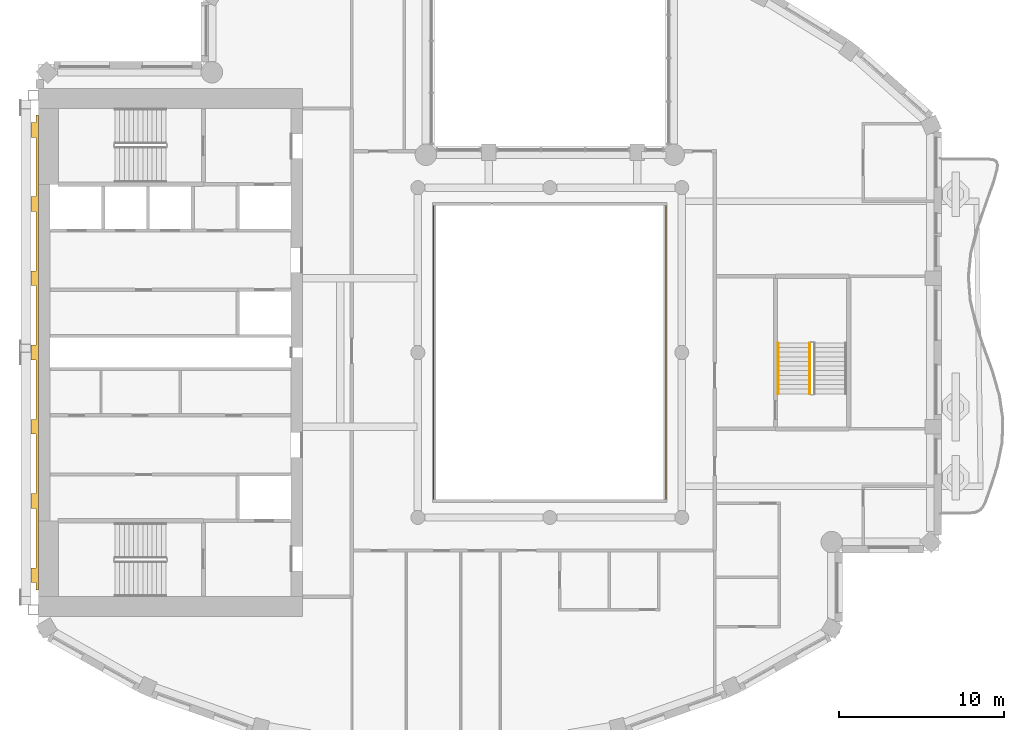
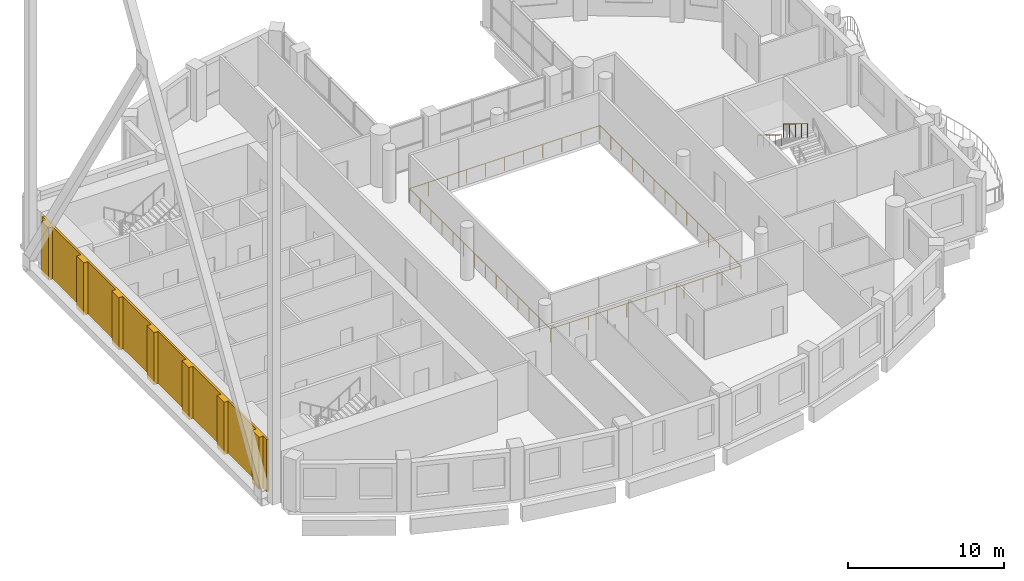
# One storey, part 15 of 18: 3 railings, 1 covering.
"""IFC4 building model written with IfcOpenShell, lengths in metres."""

from ifc_helpers import new_model, si_unit, direction, frame, origin, origin_2d, place, context, subcontext, project, spatial, polyline, rectangle, outline, extrude, material, layer, layer_set, type_object, element, save


model = new_model("IFC4")

# Units and contexts
model_context = context("Model", 3, precision=1e-05, world=origin(), true_north=direction((0.0, 1.0)))
body_context = subcontext(model_context, "Body", "Model", "MODEL_VIEW")
ifc_project = project(units=[si_unit("LENGTHUNIT", "METRE"), si_unit("AREAUNIT", "SQUARE_METRE"), si_unit("VOLUMEUNIT", "CUBIC_METRE"), si_unit("PLANEANGLEUNIT", "RADIAN"), si_unit("MASSUNIT", "GRAM", prefix="KILO")], contexts=[model_context])

# Site, building, storey
site_placement = place(None, origin())
site = spatial("IfcSite", under=ifc_project, at=site_placement, CompositionType="ELEMENT")
building_placement = place(site_placement, origin())
building = spatial("IfcBuilding", under=site, at=building_placement, Name="Cypress Arch Tower", CompositionType="ELEMENT")
storey_placement = place(building_placement, frame((0.0, 0.0, 288.5)))
storey = spatial("IfcBuildingStorey", under=building, at=storey_placement, Name="L65", CompositionType="ELEMENT", Elevation=288.5)

# Railings
ifc_material_1 = material(Name="Stainless steel posts and handrail, laminated glass infill", Category="steel")
railing_type_1 = type_object("IfcRailingType", Name="Atrium guard GR1100A", PredefinedType="GUARDRAIL", material=ifc_material_1)
railing_1_placement = place(storey_placement, frame((8.050048828125, -9.050048828125, 0.0)))
element("IfcRailing", 1, at=railing_1_placement, inside=storey, type_object=railing_type_1, Name="Atrium guard L65", PredefinedType="GUARDRAIL", context=body_context, shape_type="SweptSolid", body=[
    extrude(rectangle(XDim=0.050048828125, YDim=0.050048828125, at=origin_2d()), frame((0.0, 0.0, 1.0751953125), z_axis=(-1.0, 0.0, 0.0), x_axis=(0.0, -1.0, 0.0)), (0.0, 0.0, 1.0), 14.10009765625),
    extrude(rectangle(XDim=0.050048828125, YDim=0.050048828125, at=origin_2d()), frame((-14.10009765625, 0.0, 1.0751953125), z_axis=(0.0, 1.0, 0.0), x_axis=(-1.0, 0.0, 0.0)), (0.0, 0.0, 1.0), 18.10009765625),
    extrude(rectangle(XDim=0.050048828125, YDim=0.050048828125, at=origin_2d()), frame((-14.10009765625, 18.10009765625, 1.0751953125), z_axis=(1.0, 0.0, 0.0), x_axis=(0.0, 1.0, 0.0)), (0.0, 0.0, 1.0), 14.10009765625),
    extrude(rectangle(XDim=0.050048828125, YDim=0.050048828125, at=origin_2d()), frame((0.0, 18.10009765625, 1.0751953125), z_axis=(0.0, -1.0, 0.0), x_axis=(1.0, 0.0, 0.0)), (0.0, 0.0, 1.0), 18.10009765625),
    extrude(rectangle(XDim=0.050048828125, YDim=0.050048828125, at=origin_2d()), origin(), (0.0, 0.0, 1.0), 1.050048828125),
    extrude(rectangle(XDim=0.050048828125, YDim=0.050048828125, at=origin_2d()), frame((-1.409912109375, 0.0, 0.0)), (0.0, 0.0, 1.0), 1.050048828125),
    extrude(rectangle(XDim=0.050048828125, YDim=0.050048828125, at=origin_2d()), frame((-2.820068359375, 0.0, 0.0)), (0.0, 0.0, 1.0), 1.050048828125),
    extrude(rectangle(XDim=0.050048828125, YDim=0.050048828125, at=origin_2d()), frame((-4.22998046875, 0.0, 0.0)), (0.0, 0.0, 1.0), 1.050048828125),
    extrude(rectangle(XDim=0.050048828125, YDim=0.050048828125, at=origin_2d()), frame((-5.64013671875, 0.0, 0.0)), (0.0, 0.0, 1.0), 1.050048828125),
    extrude(rectangle(XDim=0.050048828125, YDim=0.050048828125, at=origin_2d()), frame((-7.050048828125, 0.0, 0.0)), (0.0, 0.0, 1.0), 1.050048828125),
    extrude(rectangle(XDim=0.050048828125, YDim=0.050048828125, at=origin_2d()), frame((-8.4599609375, 0.0, 0.0)), (0.0, 0.0, 1.0), 1.050048828125),
    extrude(rectangle(XDim=0.050048828125, YDim=0.050048828125, at=origin_2d()), frame((-9.8701171875, 0.0, 0.0)), (0.0, 0.0, 1.0), 1.050048828125),
    extrude(rectangle(XDim=0.050048828125, YDim=0.050048828125, at=origin_2d()), frame((-11.280029296875, 0.0, 0.0)), (0.0, 0.0, 1.0), 1.050048828125),
    extrude(rectangle(XDim=0.050048828125, YDim=0.050048828125, at=origin_2d()), frame((-12.690185546875, 0.0, 0.0)), (0.0, 0.0, 1.0), 1.050048828125),
    extrude(rectangle(XDim=0.050048828125, YDim=0.050048828125, at=origin_2d()), frame((-14.10009765625, 0.0, 0.0)), (0.0, 0.0, 1.0), 1.050048828125),
    extrude(rectangle(XDim=0.050048828125, YDim=0.050048828125, at=origin_2d()), frame((-14.10009765625, 1.392333984375, 0.0)), (0.0, 0.0, 1.0), 1.050048828125),
    extrude(rectangle(XDim=0.050048828125, YDim=0.050048828125, at=origin_2d()), frame((-14.10009765625, 2.78466796875, 0.0)), (0.0, 0.0, 1.0), 1.050048828125),
    extrude(rectangle(XDim=0.050048828125, YDim=0.050048828125, at=origin_2d()), frame((-14.10009765625, 4.177001953125, 0.0)), (0.0, 0.0, 1.0), 1.050048828125),
    extrude(rectangle(XDim=0.050048828125, YDim=0.050048828125, at=origin_2d()), frame((-14.10009765625, 5.5693359375, 0.0)), (0.0, 0.0, 1.0), 1.050048828125),
    extrude(rectangle(XDim=0.050048828125, YDim=0.050048828125, at=origin_2d()), frame((-14.10009765625, 6.961669921875, 0.0)), (0.0, 0.0, 1.0), 1.050048828125),
    extrude(rectangle(XDim=0.050048828125, YDim=0.050048828125, at=origin_2d()), frame((-14.10009765625, 8.35400390625, 0.0)), (0.0, 0.0, 1.0), 1.050048828125),
    extrude(rectangle(XDim=0.050048828125, YDim=0.050048828125, at=origin_2d()), frame((-14.10009765625, 9.74609375, 0.0)), (0.0, 0.0, 1.0), 1.050048828125),
    extrude(rectangle(XDim=0.050048828125, YDim=0.050048828125, at=origin_2d()), frame((-14.10009765625, 11.138427734375, 0.0)), (0.0, 0.0, 1.0), 1.050048828125),
    extrude(rectangle(XDim=0.050048828125, YDim=0.050048828125, at=origin_2d()), frame((-14.10009765625, 12.53076171875, 0.0)), (0.0, 0.0, 1.0), 1.050048828125),
    extrude(rectangle(XDim=0.050048828125, YDim=0.050048828125, at=origin_2d()), frame((-14.10009765625, 13.923095703125, 0.0)), (0.0, 0.0, 1.0), 1.050048828125),
    extrude(rectangle(XDim=0.050048828125, YDim=0.050048828125, at=origin_2d()), frame((-14.10009765625, 15.3154296875, 0.0)), (0.0, 0.0, 1.0), 1.050048828125),
    extrude(rectangle(XDim=0.050048828125, YDim=0.050048828125, at=origin_2d()), frame((-14.10009765625, 16.707763671875, 0.0)), (0.0, 0.0, 1.0), 1.050048828125),
    extrude(rectangle(XDim=0.050048828125, YDim=0.050048828125, at=origin_2d()), frame((-14.10009765625, 18.10009765625, 0.0)), (0.0, 0.0, 1.0), 1.050048828125),
    extrude(rectangle(XDim=0.050048828125, YDim=0.050048828125, at=origin_2d()), frame((-12.690185546875, 18.10009765625, 0.0)), (0.0, 0.0, 1.0), 1.050048828125),
    extrude(rectangle(XDim=0.050048828125, YDim=0.050048828125, at=origin_2d()), frame((-11.280029296875, 18.10009765625, 0.0)), (0.0, 0.0, 1.0), 1.050048828125),
    extrude(rectangle(XDim=0.050048828125, YDim=0.050048828125, at=origin_2d()), frame((-9.8701171875, 18.10009765625, 0.0)), (0.0, 0.0, 1.0), 1.050048828125),
    extrude(rectangle(XDim=0.050048828125, YDim=0.050048828125, at=origin_2d()), frame((-8.4599609375, 18.10009765625, 0.0)), (0.0, 0.0, 1.0), 1.050048828125),
    extrude(rectangle(XDim=0.050048828125, YDim=0.050048828125, at=origin_2d()), frame((-7.050048828125, 18.10009765625, 0.0)), (0.0, 0.0, 1.0), 1.050048828125),
    extrude(rectangle(XDim=0.050048828125, YDim=0.050048828125, at=origin_2d()), frame((-5.64013671875, 18.10009765625, 0.0)), (0.0, 0.0, 1.0), 1.050048828125),
    extrude(rectangle(XDim=0.050048828125, YDim=0.050048828125, at=origin_2d()), frame((-4.22998046875, 18.10009765625, 0.0)), (0.0, 0.0, 1.0), 1.050048828125),
    extrude(rectangle(XDim=0.050048828125, YDim=0.050048828125, at=origin_2d()), frame((-2.820068359375, 18.10009765625, 0.0)), (0.0, 0.0, 1.0), 1.050048828125),
    extrude(rectangle(XDim=0.050048828125, YDim=0.050048828125, at=origin_2d()), frame((-1.409912109375, 18.10009765625, 0.0)), (0.0, 0.0, 1.0), 1.050048828125),
    extrude(rectangle(XDim=0.050048828125, YDim=0.050048828125, at=origin_2d()), frame((0.0, 18.10009765625, 0.0)), (0.0, 0.0, 1.0), 1.050048828125),
    extrude(rectangle(XDim=0.050048828125, YDim=0.050048828125, at=origin_2d()), frame((0.0, 16.707763671875, 0.0)), (0.0, 0.0, 1.0), 1.050048828125),
    extrude(rectangle(XDim=0.050048828125, YDim=0.050048828125, at=origin_2d()), frame((0.0, 15.3154296875, 0.0)), (0.0, 0.0, 1.0), 1.050048828125),
    extrude(rectangle(XDim=0.050048828125, YDim=0.050048828125, at=origin_2d()), frame((0.0, 13.923095703125, 0.0)), (0.0, 0.0, 1.0), 1.050048828125),
    extrude(rectangle(XDim=0.050048828125, YDim=0.050048828125, at=origin_2d()), frame((0.0, 12.53076171875, 0.0)), (0.0, 0.0, 1.0), 1.050048828125),
    extrude(rectangle(XDim=0.050048828125, YDim=0.050048828125, at=origin_2d()), frame((0.0, 11.138427734375, 0.0)), (0.0, 0.0, 1.0), 1.050048828125),
    extrude(rectangle(XDim=0.050048828125, YDim=0.050048828125, at=origin_2d()), frame((0.0, 9.74609375, 0.0)), (0.0, 0.0, 1.0), 1.050048828125),
    extrude(rectangle(XDim=0.050048828125, YDim=0.050048828125, at=origin_2d()), frame((0.0, 8.35400390625, 0.0)), (0.0, 0.0, 1.0), 1.050048828125),
    extrude(rectangle(XDim=0.050048828125, YDim=0.050048828125, at=origin_2d()), frame((0.0, 6.961669921875, 0.0)), (0.0, 0.0, 1.0), 1.050048828125),
    extrude(rectangle(XDim=0.050048828125, YDim=0.050048828125, at=origin_2d()), frame((0.0, 5.5693359375, 0.0)), (0.0, 0.0, 1.0), 1.050048828125),
    extrude(rectangle(XDim=0.050048828125, YDim=0.050048828125, at=origin_2d()), frame((0.0, 4.177001953125, 0.0)), (0.0, 0.0, 1.0), 1.050048828125),
    extrude(rectangle(XDim=0.050048828125, YDim=0.050048828125, at=origin_2d()), frame((0.0, 2.78466796875, 0.0)), (0.0, 0.0, 1.0), 1.050048828125),
    extrude(rectangle(XDim=0.050048828125, YDim=0.050048828125, at=origin_2d()), frame((0.0, 1.392333984375, 0.0)), (0.0, 0.0, 1.0), 1.050048828125),
])
ifc_material_2 = material(Name="Black powder-coated steel square bar 48 mm", Category="steel")
railing_type_2 = type_object("IfcRailingType", Name="Stair handrail HR1", PredefinedType="HANDRAIL", material=ifc_material_2)
railing_2_placement = place(storey_placement, frame((14.85009765625, 0.580078125, 2.220947265625)))
element("IfcRailing", 2, at=railing_2_placement, inside=storey, type_object=railing_type_2, Name="L65 C stair handrail 2", PredefinedType="HANDRAIL", context=body_context, shape_type="SweptSolid", body=[
    extrude(rectangle(XDim=0.048095703125, YDim=0.048095703125, at=origin_2d()), frame((0.0, 0.0, 0.8759765625), z_axis=(0.0, -0.853666305674, 0.52082035152), x_axis=(1.0, 0.0, 0.0)), (0.0, 0.0, 1.0), 3.608154296875),
    extrude(rectangle(XDim=0.0419921875, YDim=0.0419921875, at=origin_2d()), origin(), (0.0, 0.0, 1.0), 0.851806640625),
    extrude(rectangle(XDim=0.0419921875, YDim=0.0419921875, at=origin_2d()), frame((0.0, -0.77001953125, 0.4697265625)), (0.0, 0.0, 1.0), 0.851806640625),
    extrude(rectangle(XDim=0.0419921875, YDim=0.0419921875, at=origin_2d()), frame((0.0, -1.5400390625, 0.939453125)), (0.0, 0.0, 1.0), 0.851806640625),
    extrude(rectangle(XDim=0.0419921875, YDim=0.0419921875, at=origin_2d()), frame((0.0, -2.31005859375, 1.409423828125)), (0.0, 0.0, 1.0), 0.851806640625),
    extrude(rectangle(XDim=0.0419921875, YDim=0.0419921875, at=origin_2d()), frame((0.0, -3.080078125, 1.879150390625)), (0.0, 0.0, 1.0), 0.851806640625),
])
ifc_material_3 = material(Name="Black powder-coated steel balusters", Category="steel")
railing_type_3 = type_object("IfcRailingType", Name="Stair well guard G1", PredefinedType="GUARDRAIL", material=ifc_material_3)
railing_3_placement = place(storey_placement, frame((16.75, 0.580078125, 2.220947265625)))
element("IfcRailing", 3, at=railing_3_placement, inside=storey, type_object=railing_type_3, Name="L65 C stair guard 3", PredefinedType="GUARDRAIL", context=body_context, shape_type="SweptSolid", body=[
    extrude(rectangle(XDim=0.048095703125, YDim=0.048095703125, at=origin_2d()), frame((0.0, 0.0, 1.076171875), z_axis=(0.0, -0.853666305674, 0.52082035152), x_axis=(1.0, 0.0, 0.0)), (0.0, 0.0, 1.0), 3.608154296875),
    extrude(rectangle(XDim=0.0419921875, YDim=0.0419921875, at=origin_2d()), origin(), (0.0, 0.0, 1.0), 1.052001953125),
    extrude(rectangle(XDim=0.0419921875, YDim=0.0419921875, at=origin_2d()), frame((0.0, -0.77001953125, 0.4697265625)), (0.0, 0.0, 1.0), 1.052001953125),
    extrude(rectangle(XDim=0.0419921875, YDim=0.0419921875, at=origin_2d()), frame((0.0, -1.5400390625, 0.939453125)), (0.0, 0.0, 1.0), 1.052001953125),
    extrude(rectangle(XDim=0.0419921875, YDim=0.0419921875, at=origin_2d()), frame((0.0, -2.31005859375, 1.409423828125)), (0.0, 0.0, 1.0), 1.052001953125),
    extrude(rectangle(XDim=0.0419921875, YDim=0.0419921875, at=origin_2d()), frame((0.0, -3.080078125, 1.879150390625)), (0.0, 0.0, 1.0), 1.052001953125),
])

# Covering
ifc_material_4 = material(Name="Brick (red buff blend)", Category="masonry")
ifc_layer = layer(ifc_material_4, 0.449951171875)
ifc_layer_set = layer_set([ifc_layer], Name="West face brick piers WP450")
covering_type = type_object("IfcCoveringType", Name="West face brick piers WP450", PredefinedType="CLADDING", material=ifc_layer_set)
covering_placement = place(storey_placement, origin())
element("IfcCovering", 4, at=covering_placement, inside=storey, type_object=covering_type, Name="West face brick piers L65", PredefinedType="CLADDING", context=body_context, shape_type="SweptSolid", body=[
    extrude(outline(polyline([(-30.14990234375, -13.050048828125), (-30.14990234375, -9.449951171875), (-30.449951171875, -9.449951171875), (-30.449951171875, -8.550048828125), (-30.14990234375, -8.550048828125), (-30.14990234375, -4.949951171875), (-30.449951171875, -4.949951171875), (-30.449951171875, -4.050048828125), (-30.14990234375, -4.050048828125), (-30.14990234375, -0.449951171875), (-30.449951171875, -0.449951171875), (-30.449951171875, 0.449951171875), (-30.14990234375, 0.449951171875), (-30.14990234375, 4.050048828125), (-30.449951171875, 4.050048828125), (-30.449951171875, 4.949951171875), (-30.14990234375, 4.949951171875), (-30.14990234375, 8.550048828125), (-30.449951171875, 8.550048828125), (-30.449951171875, 9.449951171875), (-30.14990234375, 9.449951171875), (-30.14990234375, 13.050048828125), (-30.449951171875, 13.050048828125), (-30.449951171875, 13.949951171875), (-30.14990234375, 13.949951171875), (-30.14990234375, 14.39990234375), (-30.0, 14.39990234375), (-30.0, -14.39990234375), (-30.14990234375, -14.39990234375), (-30.14990234375, -13.949951171875), (-30.449951171875, -13.949951171875), (-30.449951171875, -13.050048828125), (-30.14990234375, -13.050048828125)])), origin(), (0.0, 0.0, 1.0), 4.10009765625),
])

save(model, "model.ifc")
